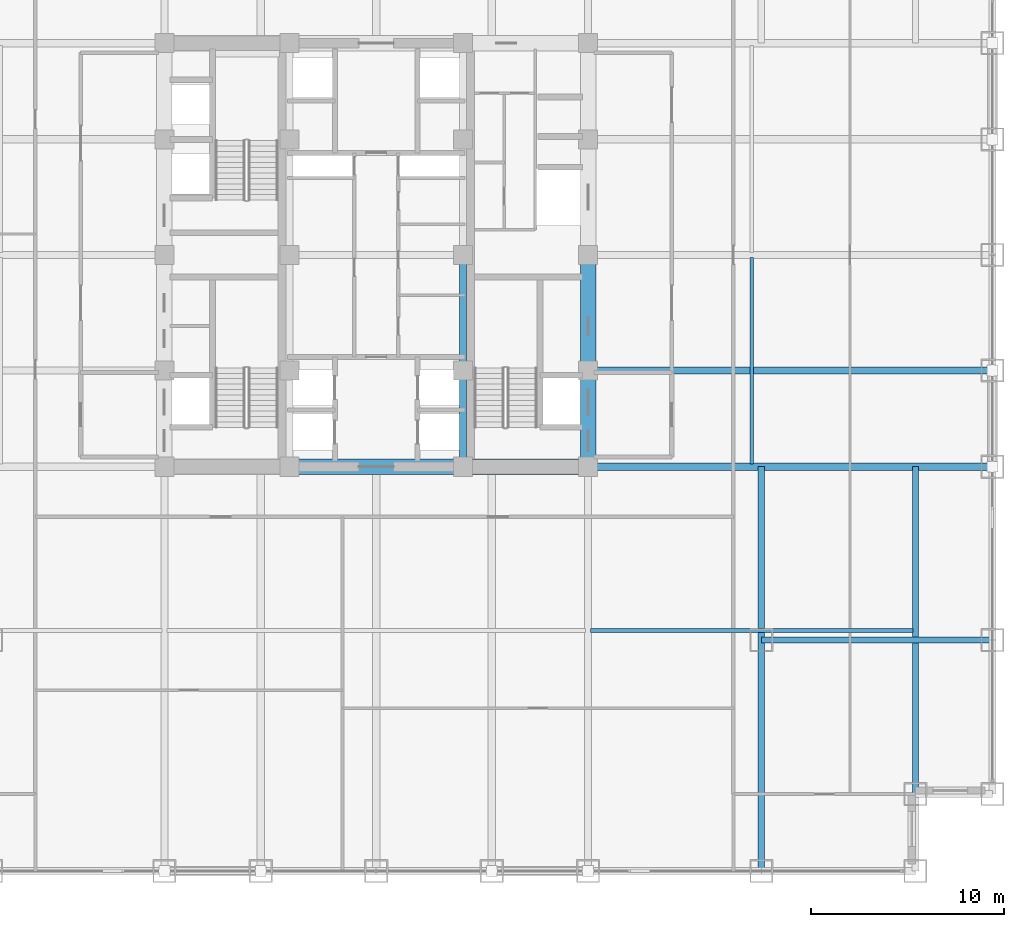
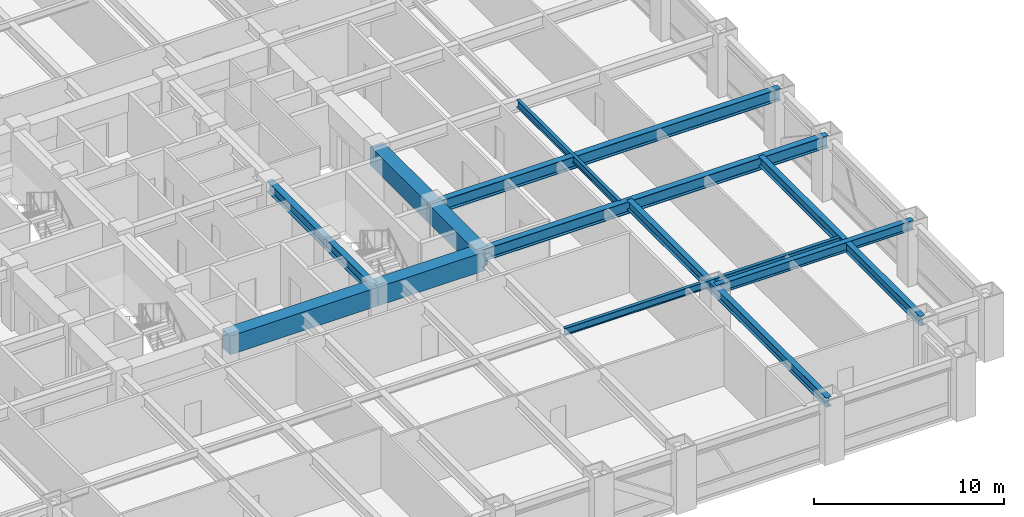
# One storey, part 7 of 27: 13 beams.
"""IFC4 building model written with IfcOpenShell, lengths in metres."""

from ifc_helpers import new_model, si_unit, direction, frame, origin, origin_2d, place, context, subcontext, project, spatial, rectangle, i_section, extrude, source, transform, mapped, material, material_profile, profile_set, type_object, element, save


model = new_model("IFC4")

# Units and contexts
model_context = context("Model", 3, precision=1e-05, world=origin(), true_north=direction((0.0, 1.0)))
body_context = subcontext(model_context, "Body", "Model", "MODEL_VIEW")
ifc_project = project(units=[si_unit("LENGTHUNIT", "METRE"), si_unit("AREAUNIT", "SQUARE_METRE"), si_unit("VOLUMEUNIT", "CUBIC_METRE"), si_unit("PLANEANGLEUNIT", "RADIAN"), si_unit("MASSUNIT", "GRAM", prefix="KILO")], contexts=[model_context])

# Site, building, storey
site_placement = place(None, origin())
site = spatial("IfcSite", under=ifc_project, at=site_placement, CompositionType="ELEMENT")
building_placement = place(site_placement, origin())
building = spatial("IfcBuilding", under=site, at=building_placement, Name="Khorayat Bourse Tower", CompositionType="ELEMENT")
storey_placement = place(building_placement, frame((0.0, 0.0, 140.60009765625)))
storey = spatial("IfcBuildingStorey", under=building, at=storey_placement, Name="L32", CompositionType="ELEMENT", Elevation=140.60009765625)

# Beams
ifc_material_1 = material(Name="Concrete C72/90", Category="concrete")
ifc_material_profile_1 = material_profile(ifc_material_1, rectangle(XDim=0.800048828125, YDim=1.199951171875, at=origin_2d()), Name="RC 800x1200")
ifc_profile_set_1 = profile_set([ifc_material_profile_1], Name="Concrete C72/90")
beam_type_1 = type_object("IfcBeamType", Name="BM-COUP-1200", PredefinedType="BEAM", material=ifc_profile_set_1)
shared_shape_1 = source(origin(), body_context, "Body", "SweptSolid", [
    extrude(rectangle(XDim=0.800048828125, YDim=1.199951171875, at=origin_2d()), origin(), (0.0, 0.0, 1.0), 5.0),
])
beam_1_placement = place(storey_placement, frame((11.0, -11.0, 3.239990234375), z_axis=(0.0, 1.0, 0.0), x_axis=(-1.0, 0.0, 0.0)))
element("IfcBeam", 1, at=beam_1_placement, inside=storey, type_object=beam_type_1, Name="L32 BM-COUP-1200 BM-L32-CRX-13", PredefinedType="BEAM", context=body_context, shape_type="MappedRepresentation", body=[
    mapped(shared_shape_1, transform((0.0, 0.0, 0.0), scale=1.0)),
])
shared_shape_2 = source(origin(), body_context, "Body", "SweptSolid", [
    extrude(rectangle(XDim=0.800048828125, YDim=1.199951171875, at=origin_2d()), origin(), (0.0, 0.0, 1.0), 6.0),
])
beam_2_placement = place(storey_placement, frame((11.0, -6.0, 3.239990234375), z_axis=(0.0, 1.0, 0.0), x_axis=(-1.0, 0.0, 0.0)))
element("IfcBeam", 2, at=beam_2_placement, inside=storey, type_object=beam_type_1, Name="L32 BM-COUP-1200 BM-L32-CRX-14", PredefinedType="BEAM", context=body_context, shape_type="MappedRepresentation", body=[
    mapped(shared_shape_2, transform((0.0, 0.0, 0.0), scale=1.0)),
])
ifc_material_2 = material(Name="Steel ASTM A992 Grade 50", Category="steel")
ifc_material_profile_2 = material_profile(ifc_material_2, i_section(OverallWidth=0.35498046875, OverallDepth=0.695068359375, WebThickness=0.015380859375, FlangeThickness=0.02490234375, FilletRadius=0.01806640625, at=origin_2d()), Name="W690X217")
ifc_profile_set_2 = profile_set([ifc_material_profile_2], Name="Steel ASTM A992 Grade 50")
beam_type_2 = type_object("IfcBeamType", Name="BM-GIRD-690", PredefinedType="BEAM", material=ifc_profile_set_2)
shared_shape_3 = source(origin(), body_context, "Body", "SweptSolid", [
    extrude(i_section(OverallWidth=0.35498046875, OverallDepth=0.695068359375, WebThickness=0.015380859375, FlangeThickness=0.02490234375, FilletRadius=0.01806640625, at=origin_2d()), origin(), (0.0, 0.0, 1.0), 5.0),
])
beam_3_placement = place(storey_placement, frame((4.5, -11.0, 3.492431640625), z_axis=(0.0, 1.0, 0.0), x_axis=(-1.0, 0.0, 0.0)))
element("IfcBeam", 3, at=beam_3_placement, inside=storey, type_object=beam_type_2, Name="L32 BM-GIRD-690 BM-L32-CRX-09", PredefinedType="BEAM", context=body_context, shape_type="MappedRepresentation", body=[
    mapped(shared_shape_3, transform((0.0, 0.0, 0.0), scale=1.0)),
])
shared_shape_4 = source(origin(), body_context, "Body", "SweptSolid", [
    extrude(i_section(OverallWidth=0.35498046875, OverallDepth=0.695068359375, WebThickness=0.015380859375, FlangeThickness=0.02490234375, FilletRadius=0.01806640625, at=origin_2d()), origin(), (0.0, 0.0, 1.0), 6.0),
])
beam_4_placement = place(storey_placement, frame((4.5, -6.0, 3.492431640625), z_axis=(0.0, 1.0, 0.0), x_axis=(-1.0, 0.0, 0.0)))
element("IfcBeam", 4, at=beam_4_placement, inside=storey, type_object=beam_type_2, Name="L32 BM-GIRD-690 BM-L32-CRX-10", PredefinedType="BEAM", context=body_context, shape_type="MappedRepresentation", body=[
    mapped(shared_shape_4, transform((0.0, 0.0, 0.0), scale=1.0)),
])
shared_shape_5 = source(origin(), body_context, "Body", "SweptSolid", [
    extrude(rectangle(XDim=0.800048828125, YDim=1.199951171875, at=origin_2d()), origin(), (0.0, 0.0, 1.0), 6.5),
])
beam_5_placement = place(storey_placement, frame((4.5, -11.0, 3.239990234375), z_axis=(1.0, 0.0, 0.0), x_axis=(0.0, 1.0, 0.0)))
element("IfcBeam", 5, at=beam_5_placement, inside=storey, type_object=beam_type_1, Name="L32 BM-COUP-1200 BM-L32-CRY-19", PredefinedType="BEAM", context=body_context, shape_type="MappedRepresentation", body=[
    mapped(shared_shape_5, transform((0.0, 0.0, 0.0), scale=1.0)),
])
shared_shape_6 = source(origin(), body_context, "Body", "SweptSolid", [
    extrude(rectangle(XDim=0.800048828125, YDim=1.199951171875, at=origin_2d()), origin(), (0.0, 0.0, 1.0), 9.0),
])
beam_6_placement = place(storey_placement, frame((-4.5, -11.0, 3.239990234375), z_axis=(1.0, 0.0, 0.0), x_axis=(0.0, 1.0, 0.0)))
element("IfcBeam", 6, at=beam_6_placement, inside=storey, type_object=beam_type_1, Name="L32 BM-COUP-1200 BM-L32-CRY-18", PredefinedType="BEAM", context=body_context, shape_type="MappedRepresentation", body=[
    mapped(shared_shape_6, transform((0.0, 0.0, 0.0), scale=1.0)),
])
ifc_material_profile_3 = material_profile(ifc_material_2, i_section(OverallWidth=0.324951171875, OverallDepth=0.615966796875, WebThickness=0.013916015625, FlangeThickness=0.021484375, FilletRadius=0.01611328125, at=origin_2d()), Name="W610X174")
ifc_profile_set_3 = profile_set([ifc_material_profile_3], Name="Steel ASTM A992 Grade 50")
beam_type_3 = type_object("IfcBeamType", Name="BM-GIRD-610", PredefinedType="BEAM", material=ifc_profile_set_3)
shared_shape_7 = source(origin(), body_context, "Body", "SweptSolid", [
    extrude(i_section(OverallWidth=0.324951171875, OverallDepth=0.615966796875, WebThickness=0.013916015625, FlangeThickness=0.021484375, FilletRadius=0.01611328125, at=origin_2d()), origin(), (0.0, 0.0, 1.0), 21.0),
])
beam_7_placement = place(storey_placement, frame((20.0, -32.0, 3.531982421875), z_axis=(0.0, 1.0, 0.0), x_axis=(-1.0, 0.0, 0.0)))
element("IfcBeam", 7, at=beam_7_placement, inside=storey, type_object=beam_type_3, Name="L32 BM-GIRD-610 BM-L32-CNRY-086", PredefinedType="BEAM", context=body_context, shape_type="MappedRepresentation", body=[
    mapped(shared_shape_7, transform((0.0, 0.0, 0.0), scale=1.0)),
])
shared_shape_8 = source(origin(), body_context, "Body", "SweptSolid", [
    extrude(i_section(OverallWidth=0.324951171875, OverallDepth=0.615966796875, WebThickness=0.013916015625, FlangeThickness=0.021484375, FilletRadius=0.01611328125, at=origin_2d()), origin(), (0.0, 0.0, 1.0), 12.0),
])
beam_8_placement = place(storey_placement, frame((20.0, -20.0, 3.531982421875), z_axis=(1.0, 0.0, 0.0), x_axis=(0.0, 1.0, 0.0)))
element("IfcBeam", 8, at=beam_8_placement, inside=storey, type_object=beam_type_3, Name="L32 BM-GIRD-610 BM-L32-CNRX-092", PredefinedType="BEAM", context=body_context, shape_type="MappedRepresentation", body=[
    mapped(shared_shape_8, transform((0.0, 0.0, 0.0), scale=1.0)),
])
ifc_material_profile_4 = material_profile(ifc_material_2, i_section(OverallWidth=0.194091796875, OverallDepth=0.468994140625, WebThickness=0.0126953125, FlangeThickness=0.0205078125, FilletRadius=0.012939453125, at=origin_2d()), Name="W460X106")
ifc_profile_set_4 = profile_set([ifc_material_profile_4], Name="Steel ASTM A992 Grade 50")
beam_type_4 = type_object("IfcBeamType", Name="BM-JOIST-460", PredefinedType="JOIST", material=ifc_profile_set_4)
shared_shape_9 = source(origin(), body_context, "Body", "SweptSolid", [
    extrude(i_section(OverallWidth=0.194091796875, OverallDepth=0.468994140625, WebThickness=0.0126953125, FlangeThickness=0.0205078125, FilletRadius=0.012939453125, at=origin_2d()), origin(), (0.0, 0.0, 1.0), 10.740234375),
])
beam_9_placement = place(storey_placement, frame((19.5, -10.8701171875, 3.60546875), z_axis=(0.0, 1.0, 0.0), x_axis=(-1.0, 0.0, 0.0)))
element("IfcBeam", 9, at=beam_9_placement, inside=storey, type_object=beam_type_4, Name="L32 BM-JOIST-460 BM-L32-JSTY-104", PredefinedType="JOIST", context=body_context, shape_type="MappedRepresentation", body=[
    mapped(shared_shape_9, transform((0.0, 0.0, 0.0), scale=1.0)),
])
ifc_material_profile_5 = material_profile(ifc_material_2, i_section(OverallWidth=0.381103515625, OverallDepth=0.77294921875, WebThickness=0.0166015625, FlangeThickness=0.027587890625, FilletRadius=0.01806640625, at=origin_2d()), Name="W760X257")
ifc_profile_set_5 = profile_set([ifc_material_profile_5], Name="Steel ASTM A992 Grade 50")
beam_type_5 = type_object("IfcBeamType", Name="BM-GIRD-760", PredefinedType="BEAM", material=ifc_profile_set_5)
shared_shape_10 = source(origin(), body_context, "Body", "SweptSolid", [
    extrude(i_section(OverallWidth=0.381103515625, OverallDepth=0.77294921875, WebThickness=0.0166015625, FlangeThickness=0.027587890625, FilletRadius=0.01806640625, at=origin_2d()), origin(), (0.0, 0.0, 1.0), 21.0),
])
for number, where, z_axis, x_axis, name in (
    (10, (11.0, -11.0, 3.453369140625), (1.0, 0.0, 0.0), (0.0, 1.0, 0.0), "L32 BM-GIRD-760 BM-L32-RADX-074"),
    (11, (11.0, -6.0, 3.453369140625), (1.0, 0.0, 0.0), (0.0, 1.0, 0.0), "L32 BM-GIRD-760 BM-L32-RADX-076"),
):
    element("IfcBeam", number, at=place(storey_placement, frame(where, z_axis=z_axis, x_axis=x_axis)), inside=storey, type_object=beam_type_5, Name=name, PredefinedType="BEAM", context=body_context, shape_type="MappedRepresentation", body=[
        mapped(shared_shape_10, transform((0.0, 0.0, 0.0), scale=1.0)),
    ])
shared_shape_11 = source(origin(), body_context, "Body", "SweptSolid", [
    extrude(i_section(OverallWidth=0.324951171875, OverallDepth=0.615966796875, WebThickness=0.013916015625, FlangeThickness=0.021484375, FilletRadius=0.01611328125, at=origin_2d()), origin(), (0.0, 0.0, 1.0), 17.0),
])
beam_10_placement = place(storey_placement, frame((28.0, -28.0, 3.531982421875), z_axis=(0.0, 1.0, 0.0), x_axis=(-1.0, 0.0, 0.0)))
element("IfcBeam", 12, at=beam_10_placement, inside=storey, type_object=beam_type_3, Name="L32 BM-GIRD-610 BM-L32-CNRY-090", PredefinedType="BEAM", context=body_context, shape_type="MappedRepresentation", body=[
    mapped(shared_shape_11, transform((0.0, 0.0, 0.0), scale=1.0)),
])
shared_shape_12 = source(origin(), body_context, "Body", "SweptSolid", [
    extrude(i_section(OverallWidth=0.194091796875, OverallDepth=0.468994140625, WebThickness=0.0126953125, FlangeThickness=0.0205078125, FilletRadius=0.012939453125, at=origin_2d()), origin(), (0.0, 0.0, 1.0), 16.740234375),
])
beam_11_placement = place(storey_placement, frame((11.1298828125, -19.5, 3.60546875), z_axis=(1.0, 0.0, 0.0), x_axis=(0.0, 1.0, 0.0)))
element("IfcBeam", 13, at=beam_11_placement, inside=storey, type_object=beam_type_4, Name="L32 BM-JOIST-460 BM-L32-JSTX-098", PredefinedType="JOIST", context=body_context, shape_type="MappedRepresentation", body=[
    mapped(shared_shape_12, transform((0.0, 0.0, 0.0), scale=1.0)),
])

save(model, "model.ifc")
